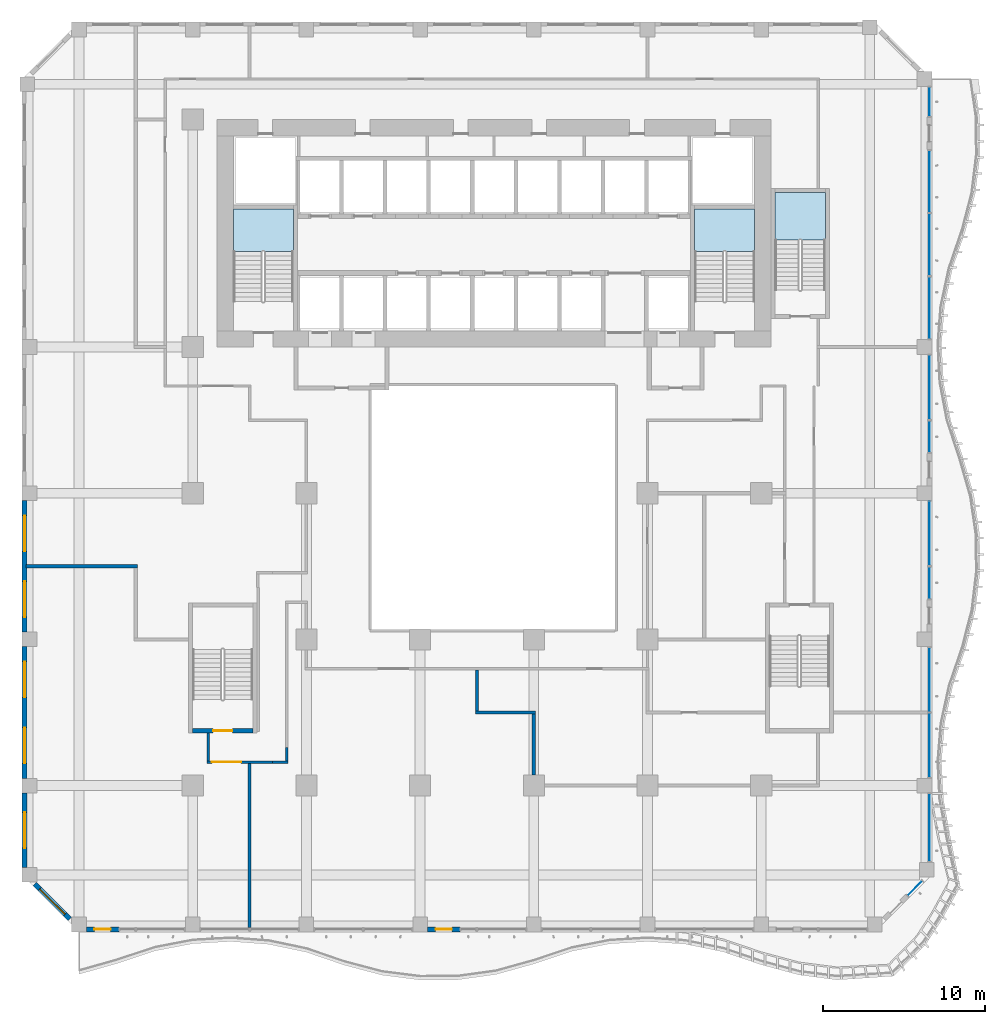
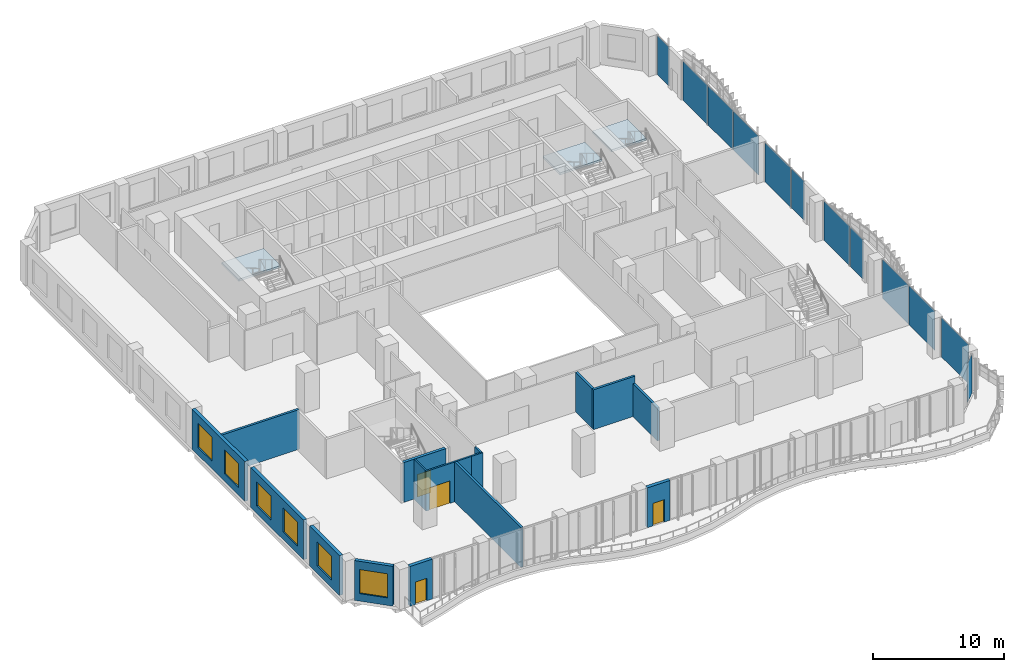
# One storey, part 12 of 26: 16 walls, 12 plates, 6 windows, 4 doors, 3 slabs, 10 openings, 15 elements without a shape of their own.
"""IFC4 building model written with IfcOpenShell, lengths in metres."""

from ifc_helpers import new_model, si_unit, direction, frame, frame_2d, origin, origin_2d, place, context, subcontext, project, spatial, polyline, rectangle, outline, extrude, source, transform, mapped, material, layer, layer_set, type_object, element, fill, aggregate, save


model = new_model("IFC4")

# Units and contexts
model_context = context("Model", 3, precision=1e-05, world=origin(), true_north=direction((0.0, 1.0)))
body_context = subcontext(model_context, "Body", "Model", "MODEL_VIEW")
ifc_project = project(units=[si_unit("LENGTHUNIT", "METRE"), si_unit("AREAUNIT", "SQUARE_METRE"), si_unit("VOLUMEUNIT", "CUBIC_METRE"), si_unit("PLANEANGLEUNIT", "RADIAN"), si_unit("MASSUNIT", "GRAM", prefix="KILO")], contexts=[model_context])

# Site, building, storey
site_placement = place(None, origin())
site = spatial("IfcSite", under=ifc_project, at=site_placement, CompositionType="ELEMENT")
building_placement = place(site_placement, origin())
building = spatial("IfcBuilding", under=site, at=building_placement, Name="Kilnfold Tower and Market Hall", CompositionType="ELEMENT")
storey_placement = place(building_placement, frame((0.0, 0.0, 31.0)))
storey = spatial("IfcBuildingStorey", under=building, at=storey_placement, Name="L06", CompositionType="ELEMENT", Elevation=31.0)

# Curtain wall, plate
ifc_material_1 = material(Name="Aluminium and double glazing", Category="aluminium")
curtain_wall_type = type_object("IfcCurtainWallType", Name="CW OF1 VALLEY GLAZING", PredefinedType="NOTDEFINED", material=ifc_material_1)
curtain_wall_1_placement = place(storey_placement, origin())
curtain_wall_1 = element("IfcCurtainWall", 1, at=curtain_wall_1_placement, inside=storey, type_object=curtain_wall_type, Name="Curtain wall CW1 L06 SE", PredefinedType="NOTDEFINED")
ifc_material_2 = material(Name="Double glazed unit")
ifc_layer_1 = layer(ifc_material_2, 0.031982421875)
ifc_layer_set_1 = layer_set([ifc_layer_1], Name="Double glazed unit")
plate_type = type_object("IfcPlateType", Name="GLAZING PANEL 32", PredefinedType="CURTAIN_PANEL", material=ifc_layer_set_1)
shared_shape_1 = source(origin(), body_context, "Body", "SweptSolid", [
    extrude(rectangle(XDim=1.23876953125, YDim=0.031982421875, at=origin_2d()), origin(), (0.0, 0.0, 1.0), 3.659912109375),
])
plate_1_placement = place(storey_placement, frame((26.963623046875, -25.32421875, 0.0), z_axis=(0.0, 0.0, 1.0), x_axis=(0.707106781187, 0.707106781187, 0.0)))
plate_1 = element("IfcPlate", 2, at=plate_1_placement, type_object=plate_type, Name="CW1 panel 1.1", PredefinedType="CURTAIN_PANEL", context=body_context, shape_type="MappedRepresentation", body=[
    mapped(shared_shape_1, transform((0.0, 0.0, 0.0))),
])
aggregate(curtain_wall_1, [plate_1])

curtain_wall_2_placement = place(storey_placement, origin())
curtain_wall_2 = element("IfcCurtainWall", 3, at=curtain_wall_2_placement, inside=storey, type_object=curtain_wall_type, Name="Curtain wall CW1 L06 E", PredefinedType="NOTDEFINED")
shared_shape_2 = source(origin(), body_context, "Body", "SweptSolid", [
    extrude(rectangle(XDim=3.929931640625, YDim=0.031982421875, at=origin_2d()), origin(), (0.0, 0.0, 1.0), 3.659912109375),
])
plate_2_placement = place(storey_placement, frame((27.85009765625, -16.52490234375, 0.0), z_axis=(0.0, 0.0, 1.0), x_axis=(0.0, 1.0, 0.0)))
plate_2 = element("IfcPlate", 4, at=plate_2_placement, type_object=plate_type, Name="CW1 panel 1.1", PredefinedType="CURTAIN_PANEL", context=body_context, shape_type="MappedRepresentation", body=[
    mapped(shared_shape_2, transform((0.0, 0.0, 0.0))),
])
aggregate(curtain_wall_2, [plate_2])

curtain_wall_3_placement = place(storey_placement, origin())
curtain_wall_3 = element("IfcCurtainWall", 5, at=curtain_wall_3_placement, inside=storey, type_object=curtain_wall_type, Name="Curtain wall CW1 L06 E", PredefinedType="NOTDEFINED")
plate_3_placement = place(storey_placement, frame((27.85009765625, -12.47509765625, 0.0), z_axis=(0.0, 0.0, 1.0), x_axis=(0.0, 1.0, 0.0)))
plate_3 = element("IfcPlate", 6, at=plate_3_placement, type_object=plate_type, Name="CW1 panel 1.1", PredefinedType="CURTAIN_PANEL", context=body_context, shape_type="MappedRepresentation", body=[
    mapped(shared_shape_2, transform((0.0, 0.0, 0.0))),
])
aggregate(curtain_wall_3, [plate_3])

curtain_wall_4_placement = place(storey_placement, origin())
curtain_wall_4 = element("IfcCurtainWall", 7, at=curtain_wall_4_placement, inside=storey, type_object=curtain_wall_type, Name="Curtain wall CW1 L06 E", PredefinedType="NOTDEFINED")
plate_4_placement = place(storey_placement, frame((27.85009765625, -3.47509765625, 0.0), z_axis=(0.0, 0.0, 1.0), x_axis=(0.0, 1.0, 0.0)))
plate_4 = element("IfcPlate", 8, at=plate_4_placement, type_object=plate_type, Name="CW1 panel 1.1", PredefinedType="CURTAIN_PANEL", context=body_context, shape_type="MappedRepresentation", body=[
    mapped(shared_shape_2, transform((0.0, 0.0, 0.0))),
])
aggregate(curtain_wall_4, [plate_4])

curtain_wall_5_placement = place(storey_placement, origin())
curtain_wall_5 = element("IfcCurtainWall", 9, at=curtain_wall_5_placement, inside=storey, type_object=curtain_wall_type, Name="Curtain wall CW1 L06 E", PredefinedType="NOTDEFINED")
plate_5_placement = place(storey_placement, frame((27.85009765625, 5.52490234375, 0.0), z_axis=(0.0, 0.0, 1.0), x_axis=(0.0, 1.0, 0.0)))
plate_5 = element("IfcPlate", 10, at=plate_5_placement, type_object=plate_type, Name="CW1 panel 1.1", PredefinedType="CURTAIN_PANEL", context=body_context, shape_type="MappedRepresentation", body=[
    mapped(shared_shape_2, transform((0.0, 0.0, 0.0))),
])
aggregate(curtain_wall_5, [plate_5])

curtain_wall_6_placement = place(storey_placement, origin())
curtain_wall_6 = element("IfcCurtainWall", 11, at=curtain_wall_6_placement, inside=storey, type_object=curtain_wall_type, Name="Curtain wall CW1 L06 E", PredefinedType="NOTDEFINED")
shared_shape_3 = source(origin(), body_context, "Body", "SweptSolid", [
    extrude(rectangle(XDim=1.929931640625, YDim=0.031982421875, at=origin_2d()), origin(), (0.0, 0.0, 1.0), 3.659912109375),
])
plate_6_placement = place(storey_placement, frame((27.85009765625, -6.52490234375, 0.0), z_axis=(0.0, 0.0, 1.0), x_axis=(0.0, 1.0, 0.0)))
plate_6 = element("IfcPlate", 12, at=plate_6_placement, type_object=plate_type, Name="CW1 panel 1.1", PredefinedType="CURTAIN_PANEL", context=body_context, shape_type="MappedRepresentation", body=[
    mapped(shared_shape_3, transform((0.0, 0.0, 0.0))),
])
aggregate(curtain_wall_6, [plate_6])

curtain_wall_7_placement = place(storey_placement, origin())
curtain_wall_7 = element("IfcCurtainWall", 13, at=curtain_wall_7_placement, inside=storey, type_object=curtain_wall_type, Name="Curtain wall CW1 L06 E", PredefinedType="NOTDEFINED")
plate_7_placement = place(storey_placement, frame((27.85009765625, 2.47509765625, 0.0), z_axis=(0.0, 0.0, 1.0), x_axis=(0.0, 1.0, 0.0)))
plate_7 = element("IfcPlate", 14, at=plate_7_placement, type_object=plate_type, Name="CW1 panel 1.1", PredefinedType="CURTAIN_PANEL", context=body_context, shape_type="MappedRepresentation", body=[
    mapped(shared_shape_3, transform((0.0, 0.0, 0.0))),
])
aggregate(curtain_wall_7, [plate_7])

curtain_wall_8_placement = place(storey_placement, origin())
curtain_wall_8 = element("IfcCurtainWall", 15, at=curtain_wall_8_placement, inside=storey, type_object=curtain_wall_type, Name="Curtain wall CW1 L06 E", PredefinedType="NOTDEFINED")
shared_shape_4 = source(origin(), body_context, "Body", "SweptSolid", [
    extrude(rectangle(XDim=3.780029296875, YDim=0.031982421875, at=origin_2d()), origin(), (0.0, 0.0, 1.0), 3.659912109375),
])
plate_8_placement = place(storey_placement, frame((27.85009765625, 10.39990234375, 0.0), z_axis=(0.0, 0.0, 1.0), x_axis=(0.0, 1.0, 0.0)))
plate_8 = element("IfcPlate", 16, at=plate_8_placement, type_object=plate_type, Name="CW1 panel 1.1", PredefinedType="CURTAIN_PANEL", context=body_context, shape_type="MappedRepresentation", body=[
    mapped(shared_shape_4, transform((0.0, 0.0, 0.0))),
])
aggregate(curtain_wall_8, [plate_8])

curtain_wall_9_placement = place(storey_placement, origin())
curtain_wall_9 = element("IfcCurtainWall", 17, at=curtain_wall_9_placement, inside=storey, type_object=curtain_wall_type, Name="Curtain wall CW1 L06 E", PredefinedType="NOTDEFINED")
plate_9_placement = place(storey_placement, frame((27.85009765625, 14.300048828125, 0.0), z_axis=(0.0, 0.0, 1.0), x_axis=(0.0, 1.0, 0.0)))
plate_9 = element("IfcPlate", 18, at=plate_9_placement, type_object=plate_type, Name="CW1 panel 1.1", PredefinedType="CURTAIN_PANEL", context=body_context, shape_type="MappedRepresentation", body=[
    mapped(shared_shape_4, transform((0.0, 0.0, 0.0))),
])
aggregate(curtain_wall_9, [plate_9])

curtain_wall_10_placement = place(storey_placement, origin())
curtain_wall_10 = element("IfcCurtainWall", 19, at=curtain_wall_10_placement, inside=storey, type_object=curtain_wall_type, Name="Curtain wall CW1 L06 E", PredefinedType="NOTDEFINED")
plate_10_placement = place(storey_placement, frame((27.85009765625, 18.199951171875, 0.0), z_axis=(0.0, 0.0, 1.0), x_axis=(0.0, 1.0, 0.0)))
plate_10 = element("IfcPlate", 20, at=plate_10_placement, type_object=plate_type, Name="CW1 panel 1.1", PredefinedType="CURTAIN_PANEL", context=body_context, shape_type="MappedRepresentation", body=[
    mapped(shared_shape_4, transform((0.0, 0.0, 0.0))),
])
aggregate(curtain_wall_10, [plate_10])

curtain_wall_11_placement = place(storey_placement, origin())
curtain_wall_11 = element("IfcCurtainWall", 21, at=curtain_wall_11_placement, inside=storey, type_object=curtain_wall_type, Name="Curtain wall CW1 L06 E", PredefinedType="NOTDEFINED")
shared_shape_5 = source(origin(), body_context, "Body", "SweptSolid", [
    extrude(rectangle(XDim=1.780029296875, YDim=0.031982421875, at=origin_2d()), origin(), (0.0, 0.0, 1.0), 3.659912109375),
])
plate_11_placement = place(storey_placement, frame((27.85009765625, 23.10009765625, 0.0), z_axis=(0.0, 0.0, 1.0), x_axis=(0.0, 1.0, 0.0)))
plate_11 = element("IfcPlate", 22, at=plate_11_placement, type_object=plate_type, Name="CW1 panel 1.1", PredefinedType="CURTAIN_PANEL", context=body_context, shape_type="MappedRepresentation", body=[
    mapped(shared_shape_5, transform((0.0, 0.0, 0.0))),
])
aggregate(curtain_wall_11, [plate_11])

curtain_wall_12_placement = place(storey_placement, origin())
curtain_wall_12 = element("IfcCurtainWall", 23, at=curtain_wall_12_placement, inside=storey, type_object=curtain_wall_type, Name="Curtain wall CW1 L06 E", PredefinedType="NOTDEFINED")
shared_shape_6 = source(origin(), body_context, "Body", "SweptSolid", [
    extrude(rectangle(XDim=4.161865234375, YDim=0.031982421875, at=origin_2d()), origin(), (0.0, 0.0, 1.0), 3.659912109375),
])
plate_12_placement = place(storey_placement, frame((27.85009765625, -21.5908203125, 0.0), z_axis=(0.0, 0.0, 1.0), x_axis=(0.0, 1.0, 0.0)))
plate_12 = element("IfcPlate", 24, at=plate_12_placement, type_object=plate_type, Name="CW1 panel 1.1", PredefinedType="CURTAIN_PANEL", context=body_context, shape_type="MappedRepresentation", body=[
    mapped(shared_shape_6, transform((0.0, 0.0, 0.0))),
])
aggregate(curtain_wall_12, [plate_12])

# Stair, slab
ifc_material_3 = material(Name="Concrete C40/50", Category="concrete")
stair_type_1 = type_object("IfcStairType", Name="CORE STAIR 1800", PredefinedType="HALF_TURN_STAIR", material=ifc_material_3)
stair_1_placement = place(storey_placement, origin())
stair_1 = element("IfcStair", 25, at=stair_1_placement, inside=storey, type_object=stair_type_1, Name="L06 ST1", PredefinedType="HALF_TURN_STAIR")
ifc_material_4 = material(Name="Concrete C40/50", Category="concrete")
ifc_layer_2 = layer(ifc_material_4, 0.199951171875)
ifc_layer_set_2 = layer_set([ifc_layer_2], Name="Concrete C40/50")
slab_type = type_object("IfcSlabType", Name="CORE STAIR LANDING 200", PredefinedType="LANDING", material=ifc_layer_set_2)
shared_shape_7 = source(origin(), body_context, "Body", "SweptSolid", [
    extrude(outline(polyline([(-11.300048828125, 13.8798828125), (-11.300048828125, 16.5), (-15.0, 16.5), (-15.0, 13.8798828125), (-11.300048828125, 13.8798828125)])), origin(), (0.0, 0.0, 1.0), 0.199951171875),
])
slab_1_placement = place(storey_placement, frame((0.0, 0.0, 1.800048828125)))
slab_1 = element("IfcSlab", 26, at=slab_1_placement, type_object=slab_type, Name="ST1 landing 1", PredefinedType="LANDING", context=body_context, shape_type="MappedRepresentation", body=[
    mapped(shared_shape_7, transform((0.0, 0.0, 0.0))),
])
aggregate(stair_1, [slab_1])

stair_2_placement = place(storey_placement, origin())
stair_2 = element("IfcStair", 27, at=stair_2_placement, inside=storey, type_object=stair_type_1, Name="L06 ST2", PredefinedType="HALF_TURN_STAIR")
shared_shape_8 = source(origin(), body_context, "Body", "SweptSolid", [
    extrude(outline(polyline([(17.10009765625, 13.8798828125), (17.10009765625, 16.5), (13.39990234375, 16.5), (13.39990234375, 13.8798828125), (17.10009765625, 13.8798828125)])), origin(), (0.0, 0.0, 1.0), 0.199951171875),
])
slab_2_placement = place(storey_placement, frame((0.0, 0.0, 1.800048828125)))
slab_2 = element("IfcSlab", 28, at=slab_2_placement, type_object=slab_type, Name="ST2 landing 1", PredefinedType="LANDING", context=body_context, shape_type="MappedRepresentation", body=[
    mapped(shared_shape_8, transform((0.0, 0.0, 0.0))),
])
aggregate(stair_2, [slab_2])

ifc_material_5 = material(Name="Concrete C40/50", Category="concrete")
stair_type_2 = type_object("IfcStairType", Name="CORE STAIR 1500", PredefinedType="HALF_TURN_STAIR", material=ifc_material_5)
stair_3_placement = place(storey_placement, origin())
stair_3 = element("IfcStair", 29, at=stair_3_placement, inside=storey, type_object=stair_type_2, Name="L06 ST5", PredefinedType="HALF_TURN_STAIR")
shared_shape_9 = source(origin(), body_context, "Body", "SweptSolid", [
    extrude(outline(polyline([(21.449951171875, 14.580078125), (21.449951171875, 17.5), (18.35009765625, 17.5), (18.35009765625, 14.580078125), (21.449951171875, 14.580078125)])), origin(), (0.0, 0.0, 1.0), 0.199951171875),
])
slab_3_placement = place(storey_placement, frame((0.0, 0.0, 1.800048828125)))
slab_3 = element("IfcSlab", 30, at=slab_3_placement, type_object=slab_type, Name="ST5 landing 1", PredefinedType="LANDING", context=body_context, shape_type="MappedRepresentation", body=[
    mapped(shared_shape_9, transform((0.0, 0.0, 0.0))),
])
aggregate(stair_3, [slab_3])

# Walls
ifc_material_6 = material(Name="Gypsum board on steel studs", Category="steel")
ifc_layer_3 = layer(ifc_material_6, 0.14990234375)
ifc_layer_set_3 = layer_set([ifc_layer_3], Name="Gypsum board on steel studs")
wall_type_1 = type_object("IfcWallType", Name="WALL CORRIDOR 150", PredefinedType="PARTITIONING", material=ifc_layer_set_3)
wall_1_placement = place(storey_placement, frame((-11.697998046875, -17.47705078125, 0.0), z_axis=(0.0, 0.0, 1.0), x_axis=(0.0, 1.0, 0.0)))
element("IfcWall", 31, at=wall_1_placement, inside=storey, type_object=wall_type_1, Name="Partition LY06.16", PredefinedType="PARTITIONING", context=body_context, shape_type="SweptSolid", body=[
    extrude(rectangle(XDim=0.8291015625, YDim=0.14990234375, at=frame_2d((0.41455078125, 0.0))), origin(), (0.0, 0.0, 1.0), 3.719970703125),
])
wall_2_placement = place(storey_placement, frame((-12.60205078125, -17.552001953125, 0.0), z_axis=(0.0, 0.0, 1.0), x_axis=(1.0, 0.0, 0.0)))
element("IfcWall", 32, at=wall_2_placement, inside=storey, type_object=wall_type_1, Name="Partition LY06.17", PredefinedType="PARTITIONING", context=body_context, shape_type="SweptSolid", body=[
    extrude(rectangle(XDim=0.97900390625, YDim=0.14990234375, at=frame_2d((0.489501953125, 0.0))), origin(), (0.0, 0.0, 1.0), 3.719970703125),
])

# Wall, opening, door
wall_3_placement = place(storey_placement, frame((-16.625, -17.550048828125, 0.0), z_axis=(0.0, 0.0, 1.0), x_axis=(1.0, 0.0, 0.0)))
wall_3 = element("IfcWall", 33, at=wall_3_placement, inside=storey, type_object=wall_type_1, Name="Partition LY06.18", PredefinedType="PARTITIONING", context=body_context, shape_type="SweptSolid", body=[
    extrude(rectangle(XDim=4.02294921875, YDim=0.14990234375, at=frame_2d((2.011474609375, 0.0))), origin(), (0.0, 0.0, 1.0), 3.719970703125),
])
opening_1_placement = place(wall_3_placement, frame((0.30908203125, 0.0, 0.0)))
opening_1 = element("IfcOpeningElement", 34, at=opening_1_placement, cuts=wall_3, Name="Opening D5", PredefinedType="OPENING", context=body_context, shape_type="SweptSolid", body=[
    extrude(rectangle(XDim=1.800048828125, YDim=2.10009765625, at=frame_2d((0.89990234375, 1.050048828125))), frame((0.0, 0.0849609375, 0.0), z_axis=(0.0, -1.0, 0.0), x_axis=(1.0, 0.0, 0.0)), (0.0, 0.0, 1.0), 0.169921875),
])
ifc_material_7 = material(Name="Timber veneer door leaf in steel frame", Category="steel")
door_type_1 = type_object("IfcDoorType", Name="DOOR DOUBLE 1800 X2100", OperationType="NOTDEFINED", PredefinedType="DOOR", material=ifc_material_7)
door_1_placement = place(opening_1_placement, origin())
door_1 = element("IfcDoor", 35, at=door_1_placement, inside=storey, type_object=door_type_1, Name="Door D5", OperationType="DOUBLE_DOOR_SINGLE_SWING", OverallHeight=2.10009765625, OverallWidth=1.800048828125, PredefinedType="DOOR", context=body_context, shape_type="SweptSolid", body=[
    extrude(rectangle(XDim=1.800048828125, YDim=2.10009765625, at=frame_2d((0.89990234375, 1.050048828125))), frame((0.0, 0.02490234375, 0.0), z_axis=(0.0, -1.0, 0.0), x_axis=(1.0, 0.0, 0.0)), (0.0, 0.0, 1.0), 0.050048828125),
])
fill(opening_1, door_1)

# Walls
wall_4_placement = place(storey_placement, frame((-16.550048828125, -15.75, 0.0), z_axis=(0.0, 0.0, 1.0), x_axis=(0.0, -1.0, 0.0)))
element("IfcWall", 36, at=wall_4_placement, inside=storey, type_object=wall_type_1, Name="Partition LY06.19", PredefinedType="PARTITIONING", context=body_context, shape_type="SweptSolid", body=[
    extrude(rectangle(XDim=1.72509765625, YDim=0.14990234375, at=frame_2d((0.862548828125, 0.0))), origin(), (0.0, 0.0, 1.0), 3.719970703125),
])
ifc_material_8 = material(Name="Gypsum board on steel studs", Category="steel")
ifc_layer_4 = layer(ifc_material_8, 0.199951171875)
ifc_layer_set_4 = layer_set([ifc_layer_4], Name="Gypsum board on steel studs")
wall_type_2 = type_object("IfcWallType", Name="WALL PARTY 200", PredefinedType="PARTITIONING", material=ifc_layer_set_4)
wall_5_placement = place(storey_placement, frame((-27.75, -5.5, 0.0), z_axis=(0.0, 0.0, 1.0), x_axis=(1.0, 0.0, 0.0)))
element("IfcWall", 37, at=wall_5_placement, inside=storey, type_object=wall_type_2, Name="Partition LY06.37", PredefinedType="PARTITIONING", context=body_context, shape_type="SweptSolid", body=[
    extrude(rectangle(XDim=6.85009765625, YDim=0.199951171875, at=frame_2d((3.425048828125, 0.0))), origin(), (0.0, 0.0, 1.0), 3.719970703125),
])
wall_6_placement = place(storey_placement, frame((-14.0, -27.75, 0.0), z_axis=(0.0, 0.0, 1.0), x_axis=(0.0, 1.0, 0.0)))
element("IfcWall", 38, at=wall_6_placement, inside=storey, type_object=wall_type_2, Name="Partition LY06.41", PredefinedType="PARTITIONING", context=body_context, shape_type="SweptSolid", body=[
    extrude(rectangle(XDim=10.1240234375, YDim=0.199951171875, at=frame_2d((5.06201171875, 0.0))), origin(), (0.0, 0.0, 1.0), 3.719970703125),
])
wall_7_placement = place(storey_placement, frame((0.0, -14.39990234375, 0.0), z_axis=(0.0, 0.0, 1.0), x_axis=(0.0, 1.0, 0.0)))
element("IfcWall", 39, at=wall_7_placement, inside=storey, type_object=wall_type_2, Name="Partition LY06.42", PredefinedType="PARTITIONING", context=body_context, shape_type="SweptSolid", body=[
    extrude(rectangle(XDim=2.52392578125, YDim=0.199951171875, at=frame_2d((1.261962890625, 0.0))), origin(), (0.0, 0.0, 1.0), 3.719970703125),
])
wall_8_placement = place(storey_placement, frame((-0.10009765625, -14.5, 0.0), z_axis=(0.0, 0.0, 1.0), x_axis=(1.0, 0.0, 0.0)))
element("IfcWall", 40, at=wall_8_placement, inside=storey, type_object=wall_type_2, Name="Partition LY06.43", PredefinedType="PARTITIONING", context=body_context, shape_type="SweptSolid", body=[
    extrude(rectangle(XDim=3.7001953125, YDim=0.199951171875, at=frame_2d((1.85009765625, 0.0))), origin(), (0.0, 0.0, 1.0), 3.719970703125),
])
wall_9_placement = place(storey_placement, frame((3.5, -18.35009765625, 0.0), z_axis=(0.0, 0.0, 1.0), x_axis=(0.0, 1.0, 0.0)))
element("IfcWall", 41, at=wall_9_placement, inside=storey, type_object=wall_type_2, Name="Partition LY06.44", PredefinedType="PARTITIONING", context=body_context, shape_type="SweptSolid", body=[
    extrude(rectangle(XDim=3.75, YDim=0.199951171875, at=frame_2d((1.875, 0.0))), origin(), (0.0, 0.0, 1.0), 3.070068359375),
])

# Wall, opening, door
ifc_material_9 = material(Name="Concrete C80", Category="concrete")
ifc_layer_5 = layer(ifc_material_9, 0.25)
ifc_layer_set_5 = layer_set([ifc_layer_5], Name="Concrete C80")
wall_type_3 = type_object("IfcWallType", Name="CORE WALL 250 C80", PredefinedType="SHEAR", material=ifc_layer_set_5)
shared_shape_10 = source(origin(), body_context, "Body", "SweptSolid", [
    extrude(rectangle(XDim=3.699951171875, YDim=0.25, at=frame_2d((1.85009765625, 0.0))), origin(), (0.0, 0.0, 1.0), 3.719970703125),
])
wall_10_placement = place(storey_placement, frame((-17.5, -15.625, 0.0), z_axis=(0.0, 0.0, 1.0), x_axis=(1.0, 0.0, 0.0)))
wall_10 = element("IfcWall", 42, at=wall_10_placement, inside=storey, type_object=wall_type_3, Name="Stair enclosure ST3", PredefinedType="SHEAR", context=body_context, shape_type="MappedRepresentation", body=[
    mapped(shared_shape_10, transform((0.0, 0.0, 0.0))),
])
opening_2_placement = place(wall_10_placement, frame((1.25, 0.0, 0.0)))
opening_2 = element("IfcOpeningElement", 43, at=opening_2_placement, cuts=wall_10, Name="Opening SD1", PredefinedType="OPENING", context=body_context, shape_type="SweptSolid", body=[
    extrude(rectangle(XDim=1.199951171875, YDim=2.10009765625, at=frame_2d((0.60009765625, 1.050048828125))), frame((0.0, 0.135009765625, 0.0), z_axis=(0.0, -1.0, 0.0), x_axis=(1.0, 0.0, 0.0)), (0.0, 0.0, 1.0), 0.27001953125),
])
ifc_material_10 = material(Name="Steel door set with fire-resisting leaf", Category="steel")
door_type_2 = type_object("IfcDoorType", Name="STAIR FLOOR DOOR 1200X2100", OperationType="NOTDEFINED", PredefinedType="DOOR", material=ifc_material_10)
door_2_placement = place(opening_2_placement, origin())
door_2 = element("IfcDoor", 44, at=door_2_placement, inside=storey, type_object=door_type_2, Name="Exit stair ST3 door", OperationType="DOUBLE_DOOR_SINGLE_SWING", OverallHeight=2.10009765625, OverallWidth=1.199951171875, PredefinedType="DOOR", context=body_context, shape_type="SweptSolid", body=[
    extrude(rectangle(XDim=1.199951171875, YDim=2.10009765625, at=frame_2d((0.60009765625, 1.050048828125))), frame((0.0, 0.02490234375, 0.0), z_axis=(0.0, -1.0, 0.0), x_axis=(1.0, 0.0, 0.0)), (0.0, 0.0, 1.0), 0.050048828125),
])
fill(opening_2, door_2)

ifc_material_11 = material(Name="Precast concrete C50/60", Category="concrete")
ifc_layer_6 = layer(ifc_material_11, 0.300048828125)
ifc_layer_set_6 = layer_set([ifc_layer_6], Name="Precast concrete C50/60")
wall_type_4 = type_object("IfcWallType", Name="PRECAST WALL 300", PredefinedType="SOLIDWALL", material=ifc_layer_set_6)
shared_shape_11 = source(origin(), body_context, "Body", "SweptSolid", [
    extrude(rectangle(XDim=2.0, YDim=0.300048828125, at=frame_2d((1.0, 0.0))), origin(), (0.0, 0.0, 1.0), 3.719970703125),
])
wall_11_placement = place(storey_placement, frame((-24.050048828125, -27.85009765625, 0.0), z_axis=(0.0, 0.0, 1.0), x_axis=(1.0, 0.0, 0.0)))
wall_11 = element("IfcWall", 45, at=wall_11_placement, inside=storey, type_object=wall_type_4, Name="External wall L06 S", PredefinedType="SOLIDWALL", context=body_context, shape_type="MappedRepresentation", body=[
    mapped(shared_shape_11, transform((0.0, 0.0, 0.0))),
])
opening_3_placement = place(wall_11_placement, frame((0.5, 0.0, 0.0)))
opening_3 = element("IfcOpeningElement", 46, at=opening_3_placement, cuts=wall_11, Name="Opening BD1", PredefinedType="OPENING", context=body_context, shape_type="SweptSolid", body=[
    extrude(rectangle(XDim=1.0, YDim=2.10009765625, at=frame_2d((0.5, 1.050048828125))), frame((0.0, 0.16015625, 0.0), z_axis=(0.0, -1.0, 0.0), x_axis=(1.0, 0.0, 0.0)), (0.0, 0.0, 1.0), 0.320068359375),
])
ifc_material_12 = material(Name="Aluminium frame and double glazing", Category="aluminium")
door_type_3 = type_object("IfcDoorType", Name="BALCONY DOOR 1000X2100", OperationType="NOTDEFINED", PredefinedType="DOOR", material=ifc_material_12)
door_3_placement = place(opening_3_placement, origin())
door_3 = element("IfcDoor", 47, at=door_3_placement, inside=storey, type_object=door_type_3, Name="Balcony door BD1 L06 S-1", OperationType="SINGLE_SWING_LEFT", OverallHeight=2.10009765625, OverallWidth=1.0, PredefinedType="DOOR", context=body_context, shape_type="SweptSolid", body=[
    extrude(rectangle(XDim=1.0, YDim=2.10009765625, at=frame_2d((0.5, 1.050048828125))), frame((0.0, 0.02490234375, 0.0), z_axis=(0.0, -1.0, 0.0), x_axis=(1.0, 0.0, 0.0)), (0.0, 0.0, 1.0), 0.050048828125),
])
fill(opening_3, door_3)

wall_12_placement = place(storey_placement, frame((-3.050048828125, -27.85009765625, 0.0), z_axis=(0.0, 0.0, 1.0), x_axis=(1.0, 0.0, 0.0)))
wall_12 = element("IfcWall", 48, at=wall_12_placement, inside=storey, type_object=wall_type_4, Name="External wall L06 S", PredefinedType="SOLIDWALL", context=body_context, shape_type="MappedRepresentation", body=[
    mapped(shared_shape_11, transform((0.0, 0.0, 0.0))),
])
opening_4_placement = place(wall_12_placement, frame((0.5, 0.0, 0.0)))
opening_4 = element("IfcOpeningElement", 49, at=opening_4_placement, cuts=wall_12, Name="Opening BD1", PredefinedType="OPENING", context=body_context, shape_type="SweptSolid", body=[
    extrude(rectangle(XDim=1.0, YDim=2.10009765625, at=frame_2d((0.5, 1.050048828125))), frame((0.0, 0.16015625, 0.0), z_axis=(0.0, -1.0, 0.0), x_axis=(1.0, 0.0, 0.0)), (0.0, 0.0, 1.0), 0.320068359375),
])
door_4_placement = place(opening_4_placement, origin())
door_4 = element("IfcDoor", 50, at=door_4_placement, inside=storey, type_object=door_type_3, Name="Balcony door BD1 L06 S-1", OperationType="SINGLE_SWING_LEFT", OverallHeight=2.10009765625, OverallWidth=1.0, PredefinedType="DOOR", context=body_context, shape_type="SweptSolid", body=[
    extrude(rectangle(XDim=1.0, YDim=2.10009765625, at=frame_2d((0.5, 1.050048828125))), frame((0.0, 0.02490234375, 0.0), z_axis=(0.0, -1.0, 0.0), x_axis=(1.0, 0.0, 0.0)), (0.0, 0.0, 1.0), 0.050048828125),
])
fill(opening_4, door_4)

# Wall, openings, windows
shared_shape_12 = source(origin(), body_context, "Body", "SweptSolid", [
    extrude(rectangle(XDim=8.10009765625, YDim=0.300048828125, at=frame_2d((4.050048828125, 0.0))), origin(), (0.0, 0.0, 1.0), 3.719970703125),
])
wall_13_placement = place(storey_placement, frame((-27.85009765625, -1.449951171875, 0.0), z_axis=(0.0, 0.0, 1.0), x_axis=(0.0, -1.0, 0.0)))
wall_13 = element("IfcWall", 51, at=wall_13_placement, inside=storey, type_object=wall_type_4, Name="External wall L06 W", PredefinedType="SOLIDWALL", context=body_context, shape_type="MappedRepresentation", body=[
    mapped(shared_shape_12, transform((0.0, 0.0, 0.0))),
])
opening_5_placement = place(wall_13_placement, frame((0.925048828125, 0.0, 0.699951171875)))
opening_5 = element("IfcOpeningElement", 52, at=opening_5_placement, cuts=wall_13, Name="Opening W1", PredefinedType="OPENING", context=body_context, shape_type="SweptSolid", body=[
    extrude(rectangle(XDim=2.199951171875, YDim=2.25, at=frame_2d((1.10009765625, 1.125))), frame((0.0, 0.16015625, 0.0), z_axis=(0.0, -1.0, 0.0), x_axis=(1.0, 0.0, 0.0)), (0.0, 0.0, 1.0), 0.320068359375),
])
opening_6_placement = place(wall_13_placement, frame((4.97509765625, 0.0, 0.699951171875)))
opening_6 = element("IfcOpeningElement", 53, at=opening_6_placement, cuts=wall_13, Name="Opening W1", PredefinedType="OPENING", context=body_context, shape_type="SweptSolid", body=[
    extrude(rectangle(XDim=2.199951171875, YDim=2.25, at=frame_2d((1.10009765625, 1.125))), frame((0.0, 0.16015625, 0.0), z_axis=(0.0, -1.0, 0.0), x_axis=(1.0, 0.0, 0.0)), (0.0, 0.0, 1.0), 0.320068359375),
])
ifc_material_13 = material(Name="Aluminium frame and double glazing", Category="aluminium")
window_type = type_object("IfcWindowType", Name="WINDOW W1 2200X2250", PartitioningType="SINGLE_PANEL", PredefinedType="WINDOW", material=ifc_material_13)
window_1_placement = place(opening_5_placement, origin())
window_1 = element("IfcWindow", 54, at=window_1_placement, inside=storey, type_object=window_type, Name="Window W1 L06 W-1", OverallHeight=2.25, OverallWidth=2.199951171875, PartitioningType="SINGLE_PANEL", PredefinedType="WINDOW", context=body_context, shape_type="SweptSolid", body=[
    extrude(rectangle(XDim=2.199951171875, YDim=2.25, at=frame_2d((1.10009765625, 1.125))), frame((0.0, 0.030029296875, 0.0), z_axis=(0.0, -1.0, 0.0), x_axis=(1.0, 0.0, 0.0)), (0.0, 0.0, 1.0), 0.06005859375),
])
fill(opening_5, window_1)
window_2_placement = place(opening_6_placement, origin())
window_2 = element("IfcWindow", 55, at=window_2_placement, inside=storey, type_object=window_type, Name="Window W1 L06 W-2", OverallHeight=2.25, OverallWidth=2.199951171875, PartitioningType="SINGLE_PANEL", PredefinedType="WINDOW", context=body_context, shape_type="SweptSolid", body=[
    extrude(rectangle(XDim=2.199951171875, YDim=2.25, at=frame_2d((1.10009765625, 1.125))), frame((0.0, 0.030029296875, 0.0), z_axis=(0.0, -1.0, 0.0), x_axis=(1.0, 0.0, 0.0)), (0.0, 0.0, 1.0), 0.06005859375),
])
fill(opening_6, window_2)

wall_14_placement = place(storey_placement, frame((-27.85009765625, -10.449951171875, 0.0), z_axis=(0.0, 0.0, 1.0), x_axis=(0.0, -1.0, 0.0)))
wall_14 = element("IfcWall", 56, at=wall_14_placement, inside=storey, type_object=wall_type_4, Name="External wall L06 W", PredefinedType="SOLIDWALL", context=body_context, shape_type="MappedRepresentation", body=[
    mapped(shared_shape_12, transform((0.0, 0.0, 0.0))),
])
opening_7_placement = place(wall_14_placement, frame((0.925048828125, 0.0, 0.699951171875)))
opening_7 = element("IfcOpeningElement", 57, at=opening_7_placement, cuts=wall_14, Name="Opening W1", PredefinedType="OPENING", context=body_context, shape_type="SweptSolid", body=[
    extrude(rectangle(XDim=2.199951171875, YDim=2.25, at=frame_2d((1.10009765625, 1.125))), frame((0.0, 0.16015625, 0.0), z_axis=(0.0, -1.0, 0.0), x_axis=(1.0, 0.0, 0.0)), (0.0, 0.0, 1.0), 0.320068359375),
])
opening_8_placement = place(wall_14_placement, frame((4.97509765625, 0.0, 0.699951171875)))
opening_8 = element("IfcOpeningElement", 58, at=opening_8_placement, cuts=wall_14, Name="Opening W1", PredefinedType="OPENING", context=body_context, shape_type="SweptSolid", body=[
    extrude(rectangle(XDim=2.199951171875, YDim=2.25, at=frame_2d((1.10009765625, 1.125))), frame((0.0, 0.16015625, 0.0), z_axis=(0.0, -1.0, 0.0), x_axis=(1.0, 0.0, 0.0)), (0.0, 0.0, 1.0), 0.320068359375),
])
window_3_placement = place(opening_7_placement, origin())
window_3 = element("IfcWindow", 59, at=window_3_placement, inside=storey, type_object=window_type, Name="Window W1 L06 W-1", OverallHeight=2.25, OverallWidth=2.199951171875, PartitioningType="SINGLE_PANEL", PredefinedType="WINDOW", context=body_context, shape_type="SweptSolid", body=[
    extrude(rectangle(XDim=2.199951171875, YDim=2.25, at=frame_2d((1.10009765625, 1.125))), frame((0.0, 0.030029296875, 0.0), z_axis=(0.0, -1.0, 0.0), x_axis=(1.0, 0.0, 0.0)), (0.0, 0.0, 1.0), 0.06005859375),
])
fill(opening_7, window_3)
window_4_placement = place(opening_8_placement, origin())
window_4 = element("IfcWindow", 60, at=window_4_placement, inside=storey, type_object=window_type, Name="Window W1 L06 W-2", OverallHeight=2.25, OverallWidth=2.199951171875, PartitioningType="SINGLE_PANEL", PredefinedType="WINDOW", context=body_context, shape_type="SweptSolid", body=[
    extrude(rectangle(XDim=2.199951171875, YDim=2.25, at=frame_2d((1.10009765625, 1.125))), frame((0.0, 0.030029296875, 0.0), z_axis=(0.0, -1.0, 0.0), x_axis=(1.0, 0.0, 0.0)), (0.0, 0.0, 1.0), 0.06005859375),
])
fill(opening_8, window_4)

# Wall, opening, window
shared_shape_13 = source(origin(), body_context, "Body", "SweptSolid", [
    extrude(rectangle(XDim=4.60009765625, YDim=0.300048828125, at=frame_2d((2.300048828125, 0.0))), origin(), (0.0, 0.0, 1.0), 3.719970703125),
])
wall_15_placement = place(storey_placement, frame((-27.85009765625, -19.449951171875, 0.0), z_axis=(0.0, 0.0, 1.0), x_axis=(0.0, -1.0, 0.0)))
wall_15 = element("IfcWall", 61, at=wall_15_placement, inside=storey, type_object=wall_type_4, Name="External wall L06 W", PredefinedType="SOLIDWALL", context=body_context, shape_type="MappedRepresentation", body=[
    mapped(shared_shape_13, transform((0.0, 0.0, 0.0))),
])
opening_9_placement = place(wall_15_placement, frame((1.199951171875, 0.0, 0.699951171875)))
opening_9 = element("IfcOpeningElement", 62, at=opening_9_placement, cuts=wall_15, Name="Opening W1", PredefinedType="OPENING", context=body_context, shape_type="SweptSolid", body=[
    extrude(rectangle(XDim=2.199951171875, YDim=2.25, at=frame_2d((1.10009765625, 1.125))), frame((0.0, 0.16015625, 0.0), z_axis=(0.0, -1.0, 0.0), x_axis=(1.0, 0.0, 0.0)), (0.0, 0.0, 1.0), 0.320068359375),
])
window_5_placement = place(opening_9_placement, origin())
window_5 = element("IfcWindow", 63, at=window_5_placement, inside=storey, type_object=window_type, Name="Window W1 L06 W-1", OverallHeight=2.25, OverallWidth=2.199951171875, PartitioningType="SINGLE_PANEL", PredefinedType="WINDOW", context=body_context, shape_type="SweptSolid", body=[
    extrude(rectangle(XDim=2.199951171875, YDim=2.25, at=frame_2d((1.10009765625, 1.125))), frame((0.0, 0.030029296875, 0.0), z_axis=(0.0, -1.0, 0.0), x_axis=(1.0, 0.0, 0.0)), (0.0, 0.0, 1.0), 0.06005859375),
])
fill(opening_9, window_5)

shared_shape_14 = source(origin(), body_context, "Body", "SweptSolid", [
    extrude(rectangle(XDim=3.040771484375, YDim=0.300048828125, at=frame_2d((1.5205078125, 0.0))), origin(), (0.0, 0.0, 1.0), 3.719970703125),
])
wall_16_placement = place(storey_placement, frame((-27.218994140625, -25.06884765625, 0.0), z_axis=(0.0, 0.0, 1.0), x_axis=(0.707106781187, -0.707106781187, 0.0)))
wall_16 = element("IfcWall", 64, at=wall_16_placement, inside=storey, type_object=wall_type_4, Name="External wall L06 SW", PredefinedType="SOLIDWALL", context=body_context, shape_type="MappedRepresentation", body=[
    mapped(shared_shape_14, transform((0.0, 0.0, 0.0))),
])
opening_10_placement = place(wall_16_placement, frame((0.42041015625, 0.0, 0.699951171875)))
opening_10 = element("IfcOpeningElement", 65, at=opening_10_placement, cuts=wall_16, Name="Opening W1", PredefinedType="OPENING", context=body_context, shape_type="SweptSolid", body=[
    extrude(rectangle(XDim=2.199951171875, YDim=2.25, at=frame_2d((1.10009765625, 1.125))), frame((0.0, 0.16015625, 0.0), z_axis=(0.0, -1.0, 0.0), x_axis=(1.0, 0.0, 0.0)), (0.0, 0.0, 1.0), 0.320068359375),
])
window_6_placement = place(opening_10_placement, origin())
window_6 = element("IfcWindow", 66, at=window_6_placement, inside=storey, type_object=window_type, Name="Window W1 L06 SW-1", OverallHeight=2.25, OverallWidth=2.199951171875, PartitioningType="SINGLE_PANEL", PredefinedType="WINDOW", context=body_context, shape_type="SweptSolid", body=[
    extrude(rectangle(XDim=2.199951171875, YDim=2.25, at=frame_2d((1.10009765625, 1.125))), frame((0.0, 0.030029296875, 0.0), z_axis=(0.0, -1.0, 0.0), x_axis=(1.0, 0.0, 0.0)), (0.0, 0.0, 1.0), 0.06005859375),
])
fill(opening_10, window_6)

save(model, "model.ifc")
